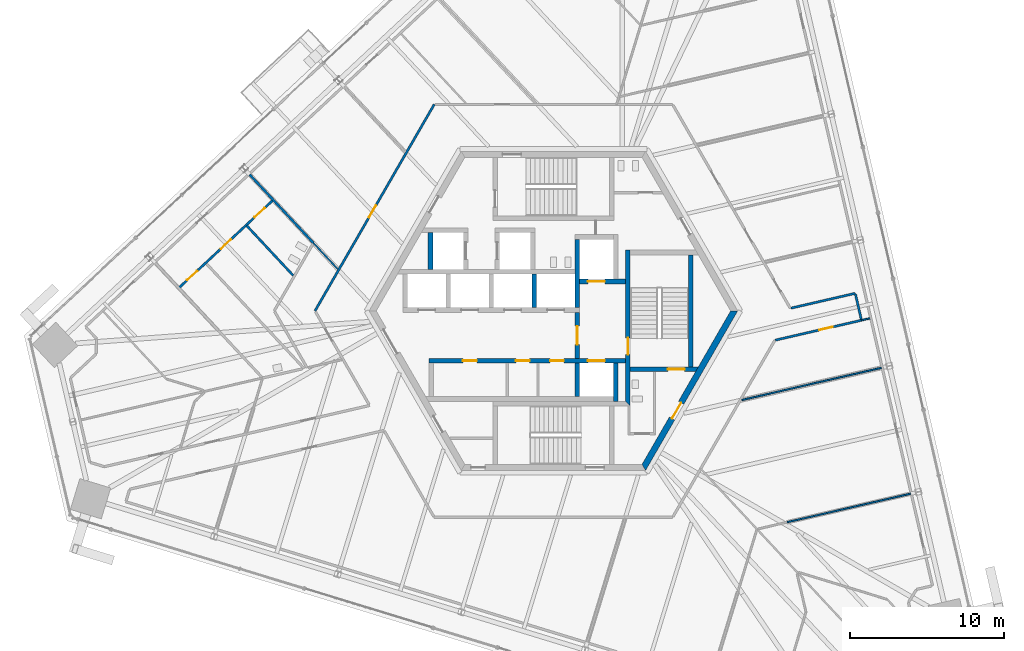
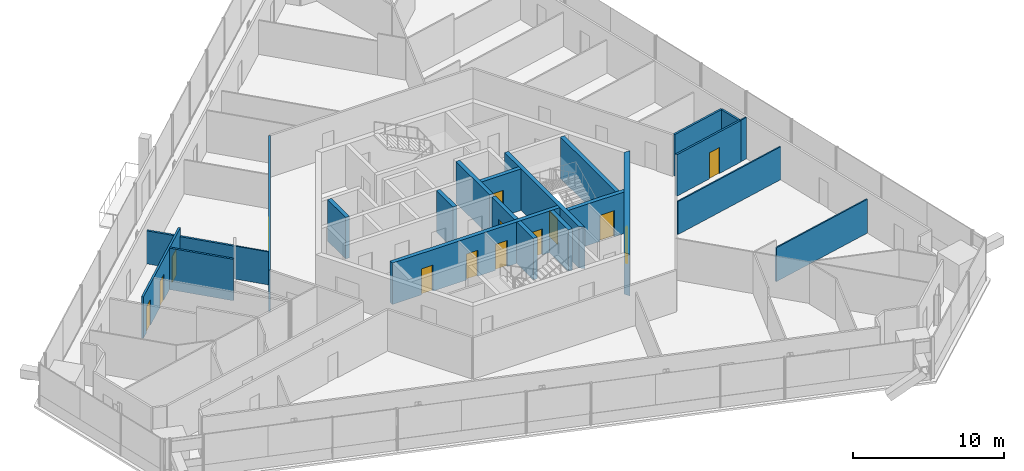
# One storey, part 19 of 25: 23 walls, 14 doors, 14 openings.
"""IFC4 building model written with IfcOpenShell, lengths in metres."""

from ifc_helpers import new_model, si_unit, direction, frame, frame_2d, origin, place, context, subcontext, project, spatial, polyline, rectangle, outline, extrude, source, transform, mapped, material, layer, layer_set, type_object, element, fill, save


model = new_model("IFC4")

# Units and contexts
model_context = context("Model", 3, precision=1e-05, world=origin(), true_north=direction((0.0, 1.0)))
body_context = subcontext(model_context, "Body", "Model", "MODEL_VIEW")
ifc_project = project(units=[si_unit("LENGTHUNIT", "METRE"), si_unit("AREAUNIT", "SQUARE_METRE"), si_unit("VOLUMEUNIT", "CUBIC_METRE"), si_unit("PLANEANGLEUNIT", "RADIAN"), si_unit("MASSUNIT", "GRAM", prefix="KILO")], contexts=[model_context])

# Site, building, storey
site_placement = place(None, origin())
site = spatial("IfcSite", under=ifc_project, at=site_placement, CompositionType="ELEMENT")
building_placement = place(site_placement, origin())
building = spatial("IfcBuilding", under=site, at=building_placement, Name="Triune Harvest Tower", CompositionType="ELEMENT")
storey_placement = place(building_placement, frame((0.0, 0.0, 130.699951171875)))
storey = spatial("IfcBuildingStorey", under=building, at=storey_placement, Name="L33", CompositionType="ELEMENT", Elevation=130.699951171875)

# Walls
ifc_material_1 = material(Name="Gypsum board on steel studs", Category="steel")
ifc_layer_1 = layer(ifc_material_1, 0.14990234375)
ifc_layer_set_1 = layer_set([ifc_layer_1], Name="Gypsum board on steel studs")
wall_type_1 = type_object("IfcWallType", Name="Fire Partition 150 mm", PredefinedType="PARTITIONING", material=ifc_layer_set_1)
wall_1_placement = place(storey_placement, frame((19.663330078125, 1.093994140625, 0.0), z_axis=(0.0, 0.0, 1.0), x_axis=(0.225091633877, -0.974337598761, 0.0)))
element("IfcWall", 1, at=wall_1_placement, inside=storey, type_object=wall_type_1, Name="Partition L33 006", PredefinedType="PARTITIONING", context=body_context, shape_type="SweptSolid", body=[
    extrude(rectangle(XDim=1.68994140625, YDim=0.14990234375, at=frame_2d((0.844970703125, 0.0))), origin(), (0.0, 0.0, 1.0), 3.35009765625),
])
wall_2_placement = place(storey_placement, frame((-19.96728515625, 5.546630859375, 0.0), z_axis=(0.0, 0.0, 1.0), x_axis=(0.681991061712, -0.731360507373, 0.0)))
element("IfcWall", 2, at=wall_2_placement, inside=storey, type_object=wall_type_1, Name="Partition L33 016", PredefinedType="PARTITIONING", context=body_context, shape_type="SweptSolid", body=[
    extrude(rectangle(XDim=4.440673828125, YDim=0.14990234375, at=frame_2d((2.22021484375, 0.0))), origin(), (0.0, 0.0, 1.0), 3.35009765625),
])
wall_3_placement = place(storey_placement, frame((-19.7763671875, 8.869384765625, 0.0), z_axis=(0.0, 0.0, 1.0), x_axis=(0.682022287832, -0.731331387882, 0.0)))
element("IfcWall", 3, at=wall_3_placement, inside=storey, type_object=wall_type_1, Name="Partition L33 017", PredefinedType="PARTITIONING", context=body_context, shape_type="SweptSolid", body=[
    extrude(rectangle(XDim=6.0849609375, YDim=0.14990234375, at=frame_2d((3.04248046875, 0.0))), origin(), (0.0, 0.0, 1.0), 2.666748046875),
])

# Wall, opening, door
wall_4_placement = place(storey_placement, frame((14.4462890625, -1.906005859375, 0.0), z_axis=(0.0, 0.0, 1.0), x_axis=(0.97437547227, 0.224927630669, 0.0)))
wall_4 = element("IfcWall", 4, at=wall_4_placement, inside=storey, type_object=wall_type_1, Name="Partition L33 040", PredefinedType="PARTITIONING", context=body_context, shape_type="SweptSolid", body=[
    extrude(rectangle(XDim=5.758056640625, YDim=0.14990234375, at=frame_2d((2.87890625, 0.0))), origin(), (0.0, 0.0, 1.0), 3.35009765625),
])
opening_1_placement = place(wall_4_placement, frame((2.93505859375, 0.0, 0.0)))
opening_1 = element("IfcOpeningElement", 5, at=opening_1_placement, cuts=wall_4, Name="Opening L33-003", PredefinedType="OPENING", context=body_context, shape_type="SweptSolid", body=[
    extrude(rectangle(XDim=0.89990234375, YDim=2.10009765625, at=frame_2d((0.449951171875, 1.050048828125))), frame((0.0, 0.0849609375, 0.0), z_axis=(0.0, -1.0, 0.0), x_axis=(1.0, 0.0, 0.0)), (0.0, 0.0, 1.0), 0.169921875),
])
ifc_material_2 = material(Name="Timber and steel door set", Category="steel")
door_type_1 = type_object("IfcDoorType", Name="Single leaf door FD30 left hand 900 x 2100", OperationType="SINGLE_SWING_LEFT", PredefinedType="DOOR", material=ifc_material_2)
door_1_placement = place(opening_1_placement, origin())
door_1 = element("IfcDoor", 6, at=door_1_placement, inside=storey, type_object=door_type_1, Name="Door L33-003 Office 33.03", OperationType="SINGLE_SWING_LEFT", OverallHeight=2.10009765625, OverallWidth=0.89990234375, PredefinedType="DOOR", context=body_context, shape_type="SweptSolid", body=[
    extrude(rectangle(XDim=0.89990234375, YDim=2.10009765625, at=frame_2d((0.449951171875, 1.050048828125))), frame((0.0, 0.02490234375, 0.0), z_axis=(0.0, -1.0, 0.0), x_axis=(1.0, 0.0, 0.0)), (0.0, 0.0, 1.0), 0.050048828125),
])
fill(opening_1, door_1)

# Wall
wall_5_placement = place(storey_placement, frame((15.47412109375, 0.17822265625, 0.0), z_axis=(0.0, 0.0, 1.0), x_axis=(0.974355678153, 0.225013360607, 0.0)))
element("IfcWall", 7, at=wall_5_placement, inside=storey, type_object=wall_type_1, Name="Partition L33 043", PredefinedType="PARTITIONING", context=body_context, shape_type="SweptSolid", body=[
    extrude(rectangle(XDim=4.287841796875, YDim=0.14990234375, at=frame_2d((2.14404296875, 0.0))), origin(), (0.0, 0.0, 1.0), 3.35009765625),
])

# Wall, openings, doors
wall_6_placement = place(storey_placement, frame((-24.35888671875, 1.51953125, 0.0), z_axis=(0.0, 0.0, 1.0), x_axis=(0.731340569628, 0.682012442127, 0.0)))
wall_6 = element("IfcWall", 8, at=wall_6_placement, inside=storey, type_object=wall_type_1, Name="Partition L33 057", PredefinedType="PARTITIONING", context=body_context, shape_type="SweptSolid", body=[
    extrude(rectangle(XDim=8.3642578125, YDim=0.14990234375, at=frame_2d((4.18212890625, 0.0))), origin(), (0.0, 0.0, 1.0), 3.35009765625),
])
opening_2_placement = place(wall_6_placement, frame((6.70849609375, 0.0, 0.0)))
opening_2 = element("IfcOpeningElement", 9, at=opening_2_placement, cuts=wall_6, Name="Opening L33-018", PredefinedType="OPENING", context=body_context, shape_type="SweptSolid", body=[
    extrude(rectangle(XDim=0.89990234375, YDim=2.10009765625, at=frame_2d((0.449951171875, 1.050048828125))), frame((0.0, 0.0849609375, 0.0), z_axis=(0.0, -1.0, 0.0), x_axis=(1.0, 0.0, 0.0)), (0.0, 0.0, 1.0), 0.169921875),
])
opening_3_placement = place(wall_6_placement, frame((3.69970703125, 0.0, 0.0)))
opening_3 = element("IfcOpeningElement", 10, at=opening_3_placement, cuts=wall_6, Name="Opening L33-019", PredefinedType="OPENING", context=body_context, shape_type="SweptSolid", body=[
    extrude(rectangle(XDim=0.89990234375, YDim=2.10009765625, at=frame_2d((0.449951171875, 1.050048828125))), frame((0.0, 0.0849609375, 0.0), z_axis=(0.0, -1.0, 0.0), x_axis=(1.0, 0.0, 0.0)), (0.0, 0.0, 1.0), 0.169921875),
])
opening_4_placement = place(wall_6_placement, frame((0.699951171875, 0.0, 0.0)))
opening_4 = element("IfcOpeningElement", 11, at=opening_4_placement, cuts=wall_6, Name="Opening L33-020", PredefinedType="OPENING", context=body_context, shape_type="SweptSolid", body=[
    extrude(rectangle(XDim=0.89990234375, YDim=2.10009765625, at=frame_2d((0.449951171875, 1.050048828125))), frame((0.0, 0.0849609375, 0.0), z_axis=(0.0, -1.0, 0.0), x_axis=(1.0, 0.0, 0.0)), (0.0, 0.0, 1.0), 0.169921875),
])
door_2_placement = place(opening_2_placement, origin())
door_2 = element("IfcDoor", 12, at=door_2_placement, inside=storey, type_object=door_type_1, Name="Door L33-018 Women's WC 33.18", OperationType="SINGLE_SWING_LEFT", OverallHeight=2.10009765625, OverallWidth=0.89990234375, PredefinedType="DOOR", context=body_context, shape_type="SweptSolid", body=[
    extrude(rectangle(XDim=0.89990234375, YDim=2.10009765625, at=frame_2d((0.449951171875, 1.050048828125))), frame((0.0, 0.02490234375, 0.0), z_axis=(0.0, -1.0, 0.0), x_axis=(1.0, 0.0, 0.0)), (0.0, 0.0, 1.0), 0.050048828125),
])
fill(opening_2, door_2)
ifc_material_3 = material(Name="Timber and steel door set", Category="steel")
door_type_2 = type_object("IfcDoorType", Name="Single leaf door FD30 right hand 900 x 2100", OperationType="SINGLE_SWING_RIGHT", PredefinedType="DOOR", material=ifc_material_3)
door_3_placement = place(opening_3_placement, origin())
door_3 = element("IfcDoor", 13, at=door_3_placement, inside=storey, type_object=door_type_2, Name="Door L33-019 Men's WC 33.19", OperationType="SINGLE_SWING_RIGHT", OverallHeight=2.10009765625, OverallWidth=0.89990234375, PredefinedType="DOOR", context=body_context, shape_type="SweptSolid", body=[
    extrude(rectangle(XDim=0.89990234375, YDim=2.10009765625, at=frame_2d((0.449951171875, 1.050048828125))), frame((0.0, 0.02490234375, 0.0), z_axis=(0.0, -1.0, 0.0), x_axis=(1.0, 0.0, 0.0)), (0.0, 0.0, 1.0), 0.050048828125),
])
fill(opening_3, door_3)
door_4_placement = place(opening_4_placement, origin())
door_4 = element("IfcDoor", 14, at=door_4_placement, inside=storey, type_object=door_type_2, Name="Door L33-020 Accessible WC 33.20", OperationType="SINGLE_SWING_RIGHT", OverallHeight=2.10009765625, OverallWidth=0.89990234375, PredefinedType="DOOR", context=body_context, shape_type="SweptSolid", body=[
    extrude(rectangle(XDim=0.89990234375, YDim=2.10009765625, at=frame_2d((0.449951171875, 1.050048828125))), frame((0.0, 0.02490234375, 0.0), z_axis=(0.0, -1.0, 0.0), x_axis=(1.0, 0.0, 0.0)), (0.0, 0.0, 1.0), 0.050048828125),
])
fill(opening_4, door_4)

# Wall, opening, door
wall_7_placement = place(storey_placement, frame((-15.521728515625, 0.0, 0.0), z_axis=(0.0, 0.0, 1.0), x_axis=(0.4999893143, 0.866031573089, 0.0)))
wall_7 = element("IfcWall", 15, at=wall_7_placement, inside=storey, type_object=wall_type_1, Name="Partition L33 063", PredefinedType="PARTITIONING", context=body_context, shape_type="SweptSolid", body=[
    extrude(rectangle(XDim=15.521728515625, YDim=0.14990234375, at=frame_2d((7.7607421875, 0.0))), origin(), (0.0, 0.0, 1.0), 3.35009765625),
])
opening_5_placement = place(wall_7_placement, frame((7.0205078125, 0.0, 0.0)))
opening_5 = element("IfcOpeningElement", 16, at=opening_5_placement, cuts=wall_7, Name="Opening L33-016", PredefinedType="OPENING", context=body_context, shape_type="SweptSolid", body=[
    extrude(rectangle(XDim=0.89990234375, YDim=2.10009765625, at=frame_2d((0.449951171875, 1.050048828125))), frame((0.0, 0.0849609375, 0.0), z_axis=(0.0, -1.0, 0.0), x_axis=(1.0, 0.0, 0.0)), (0.0, 0.0, 1.0), 0.169921875),
])
door_5_placement = place(opening_5_placement, origin())
door_5 = element("IfcDoor", 17, at=door_5_placement, inside=storey, type_object=door_type_1, Name="Door L33-016 Project Room 33.16", OperationType="SINGLE_SWING_LEFT", OverallHeight=2.10009765625, OverallWidth=0.89990234375, PredefinedType="DOOR", context=body_context, shape_type="SweptSolid", body=[
    extrude(rectangle(XDim=0.89990234375, YDim=2.10009765625, at=frame_2d((0.449951171875, 1.050048828125))), frame((0.0, 0.02490234375, 0.0), z_axis=(0.0, -1.0, 0.0), x_axis=(1.0, 0.0, 0.0)), (0.0, 0.0, 1.0), 0.050048828125),
])
fill(opening_5, door_5)

# Walls
ifc_material_4 = material(Name="Gypsum board on steel studs", Category="steel")
ifc_layer_2 = layer(ifc_material_4, 0.10009765625)
ifc_layer_set_2 = layer_set([ifc_layer_2], Name="Gypsum board on steel studs")
wall_type_2 = type_object("IfcWallType", Name="Partition 100 mm", PredefinedType="PARTITIONING", material=ifc_layer_set_2)
wall_8_placement = place(storey_placement, frame((-15.626220703125, 4.419189453125, 0.0), z_axis=(0.0, 0.0, 1.0), x_axis=(0.682001546145, -0.731350730536, 0.0)))
element("IfcWall", 18, at=wall_8_placement, inside=storey, type_object=wall_type_2, Name="Partition L33 018", PredefinedType="PARTITIONING", context=body_context, shape_type="SweptSolid", body=[
    extrude(rectangle(XDim=2.3349609375, YDim=0.10009765625, at=frame_2d((1.16748046875, 0.0))), origin(), (0.0, 0.0, 1.0), 2.666748046875),
])
wall_9_placement = place(storey_placement, frame((15.193359375, -13.763916015625, 0.0), z_axis=(0.0, 0.0, 1.0), x_axis=(0.974368791868, 0.224956567885, 0.0)))
element("IfcWall", 19, at=wall_9_placement, inside=storey, type_object=wall_type_2, Name="Partition L33 037a", PredefinedType="PARTITIONING", context=body_context, shape_type="SweptSolid", body=[
    extrude(rectangle(XDim=8.2666015625, YDim=0.10009765625, at=frame_2d((4.13330078125, 0.0))), origin(), (0.0, 0.0, 1.0), 2.73779296875),
])
wall_10_placement = place(storey_placement, frame((20.058349609375, -0.610595703125, 0.0), z_axis=(0.0, 0.0, 1.0), x_axis=(0.97433950698, 0.225083373747, 0.0)))
element("IfcWall", 20, at=wall_10_placement, inside=storey, type_object=wall_type_2, Name="Partition L33 041", PredefinedType="PARTITIONING", context=body_context, shape_type="SweptSolid", body=[
    extrude(rectangle(XDim=0.5576171875, YDim=0.10009765625, at=frame_2d((0.27880859375, 0.0))), origin(), (0.0, 0.0, 1.0), 3.35009765625),
])

# Wall, opening, door
ifc_material_5 = material(Name="Concrete 70 MPa", Category="concrete")
ifc_layer_3 = layer(ifc_material_5, 0.39990234375)
ifc_layer_set_3 = layer_set([ifc_layer_3], Name="Concrete 70 MPa")
wall_type_3 = type_object("IfcWallType", Name="Core wall 400", PredefinedType="SHEAR", material=ifc_layer_set_3)
shared_shape_1 = source(origin(), body_context, "Body", "SweptSolid", [
    extrude(outline(polyline([(-0.115478515625, -0.199951171875), (11.884521484375, -0.199951171875), (11.653564453125, 0.199951171875), (0.115478515625, 0.199951171875), (-0.115478515625, -0.199951171875)])), origin(), (0.0, 0.0, 1.0), 3.35009765625),
])
wall_11_placement = place(storey_placement, frame((5.884521484375, -10.1923828125, 0.0), z_axis=(0.0, 0.0, 1.0), x_axis=(0.499996592174, 0.866027371285, 0.0)))
wall_11 = element("IfcWall", 21, at=wall_11_placement, inside=storey, type_object=wall_type_3, Name="Hexagon 5 wall", PredefinedType="SHEAR", context=body_context, shape_type="MappedRepresentation", body=[
    mapped(shared_shape_1, transform((0.0, 0.0, 0.0), scale=1.0)),
])
opening_6_placement = place(wall_11_placement, frame((3.66455078125, 0.0, 0.0)))
opening_6 = element("IfcOpeningElement", 22, at=opening_6_placement, cuts=wall_11, Name="Opening CD-DP", PredefinedType="OPENING", context=body_context, shape_type="SweptSolid", body=[
    extrude(rectangle(XDim=1.199951171875, YDim=2.10009765625, at=frame_2d((0.60009765625, 1.050048828125))), frame((0.0, 0.2099609375, 0.0), z_axis=(0.0, -1.0, 0.0), x_axis=(1.0, 0.0, 0.0)), (0.0, 0.0, 1.0), 0.419921875),
])
ifc_material_6 = material(Name="Steel S235", Category="steel")
door_type_3 = type_object("IfcDoorType", Name="Stair door 1200 FD120", OperationType="SINGLE_SWING_LEFT", PredefinedType="DOOR", material=ifc_material_6)
door_6_placement = place(opening_6_placement, frame((1.199951171875, 0.0, 0.0), z_axis=(0.0, 0.0, 1.0), x_axis=(-1.0, 0.0, 0.0)))
door_6 = element("IfcDoor", 23, at=door_6_placement, inside=storey, type_object=door_type_3, Name="Door CD-DP", OperationType="SINGLE_SWING_RIGHT", OverallHeight=2.10009765625, OverallWidth=1.199951171875, PredefinedType="DOOR", context=body_context, shape_type="SweptSolid", body=[
    extrude(rectangle(XDim=1.199951171875, YDim=2.10009765625, at=frame_2d((0.60009765625, 1.050048828125))), frame((0.0, 0.02490234375, 0.0), z_axis=(0.0, -1.0, 0.0), x_axis=(1.0, 0.0, 0.0)), (0.0, 0.0, 1.0), 0.050048828125),
])
fill(opening_6, door_6)

# Walls
ifc_material_7 = material(Name="Concrete 70 MPa", Category="concrete")
ifc_layer_4 = layer(ifc_material_7, 0.300048828125)
ifc_layer_set_4 = layer_set([ifc_layer_4], Name="Concrete 70 MPa")
wall_type_4 = type_object("IfcWallType", Name="Core wall 300", PredefinedType="SHEAR", material=ifc_layer_set_4)
shared_shape_2 = source(origin(), body_context, "Body", "SweptSolid", [
    extrude(rectangle(XDim=2.5, YDim=0.300048828125, at=frame_2d((1.25, 0.0))), origin(), (0.0, 0.0, 1.0), 3.35009765625),
])
wall_12_placement = place(storey_placement, frame((4.050048828125, -5.889892578125, 0.0), z_axis=(0.0, 0.0, 1.0), x_axis=(0.0, 1.0, 0.0)))
element("IfcWall", 24, at=wall_12_placement, inside=storey, type_object=wall_type_4, Name="Ff2 east wall", PredefinedType="SHEAR", context=body_context, shape_type="MappedRepresentation", body=[
    mapped(shared_shape_2, transform((0.0, 0.0, 0.0), scale=1.0)),
])
shared_shape_3 = source(origin(), body_context, "Body", "SweptSolid", [
    extrude(rectangle(XDim=4.449951171875, YDim=0.300048828125, at=frame_2d((2.22509765625, 0.0))), origin(), (0.0, 0.0, 1.0), 3.35009765625),
])
wall_13_placement = place(storey_placement, frame((1.550048828125, 0.2099609375, 0.0), z_axis=(0.0, 0.0, 1.0), x_axis=(0.0, 1.0, 0.0)))
element("IfcWall", 25, at=wall_13_placement, inside=storey, type_object=wall_type_4, Name="Ff1 west wall", PredefinedType="SHEAR", context=body_context, shape_type="MappedRepresentation", body=[
    mapped(shared_shape_3, transform((0.0, 0.0, 0.0), scale=1.0)),
])

# Wall, opening, door
shared_shape_4 = source(origin(), body_context, "Body", "SweptSolid", [
    extrude(rectangle(XDim=3.0, YDim=0.300048828125, at=frame_2d((1.5, 0.0))), origin(), (0.0, 0.0, 1.0), 3.35009765625),
])
wall_14_placement = place(storey_placement, frame((1.699951171875, 1.909912109375, 0.0), z_axis=(0.0, 0.0, 1.0), x_axis=(1.0, 0.0, 0.0)))
wall_14 = element("IfcWall", 26, at=wall_14_placement, inside=storey, type_object=wall_type_4, Name="Ff1 front wall", PredefinedType="SHEAR", context=body_context, shape_type="MappedRepresentation", body=[
    mapped(shared_shape_4, transform((0.0, 0.0, 0.0), scale=1.0)),
])
opening_7_placement = place(wall_14_placement, frame((0.550048828125, 0.0, 0.0)))
opening_7 = element("IfcOpeningElement", 27, at=opening_7_placement, cuts=wall_14, Name="Opening LD-FF1-33", PredefinedType="OPENING", context=body_context, shape_type="SweptSolid", body=[
    extrude(rectangle(XDim=1.10009765625, YDim=2.10009765625, at=frame_2d((0.550048828125, 1.050048828125))), frame((0.0, 0.16015625, 0.0), z_axis=(0.0, -1.0, 0.0), x_axis=(1.0, 0.0, 0.0)), (0.0, 0.0, 1.0), 0.320068359375),
])
ifc_material_8 = material(Name="Stainless steel AISI 304", Category="steel")
door_type_4 = type_object("IfcDoorType", Name="Landing door 1100 x 2100", OperationType="DOUBLE_DOOR_SLIDING", PredefinedType="DOOR", material=ifc_material_8)
door_7_placement = place(opening_7_placement, origin())
door_7 = element("IfcDoor", 28, at=door_7_placement, inside=storey, type_object=door_type_4, Name="Door LD-FF1-33", OperationType="DOUBLE_DOOR_SLIDING", OverallHeight=2.10009765625, OverallWidth=1.10009765625, PredefinedType="DOOR", context=body_context, shape_type="SweptSolid", body=[
    extrude(rectangle(XDim=1.10009765625, YDim=2.10009765625, at=frame_2d((0.550048828125, 1.050048828125))), frame((0.0, 0.02490234375, 0.0), z_axis=(0.0, -1.0, 0.0), x_axis=(1.0, 0.0, 0.0)), (0.0, 0.0, 1.0), 0.050048828125),
])
fill(opening_7, door_7)

wall_15_placement = place(storey_placement, frame((1.550048828125, -3.090087890625, 0.0), z_axis=(0.0, 0.0, 1.0), x_axis=(0.0, 1.0, 0.0)))
wall_15 = element("IfcWall", 29, at=wall_15_placement, inside=storey, type_object=wall_type_4, Name="Ff lobby west wall", PredefinedType="SHEAR", context=body_context, shape_type="MappedRepresentation", body=[
    mapped(shared_shape_4, transform((0.0, 0.0, 0.0), scale=1.0)),
])
opening_8_placement = place(wall_15_placement, frame((0.89990234375, 0.0, 0.0)))
opening_8 = element("IfcOpeningElement", 30, at=opening_8_placement, cuts=wall_15, Name="Opening CD-FL", PredefinedType="OPENING", context=body_context, shape_type="SweptSolid", body=[
    extrude(rectangle(XDim=1.199951171875, YDim=2.10009765625, at=frame_2d((0.60009765625, 1.050048828125))), frame((0.0, 0.16015625, 0.0), z_axis=(0.0, -1.0, 0.0), x_axis=(1.0, 0.0, 0.0)), (0.0, 0.0, 1.0), 0.320068359375),
])
ifc_material_9 = material(Name="Steel S235", Category="steel")
door_type_5 = type_object("IfcDoorType", Name="Firefighters' lobby door 1200 FD120", OperationType="SINGLE_SWING_LEFT", PredefinedType="DOOR", material=ifc_material_9)
door_8_placement = place(opening_8_placement, frame((1.199951171875, 0.0, 0.0), z_axis=(0.0, 0.0, 1.0), x_axis=(-1.0, 0.0, 0.0)))
door_8 = element("IfcDoor", 31, at=door_8_placement, inside=storey, type_object=door_type_5, Name="Door CD-FL", OperationType="SINGLE_SWING_RIGHT", OverallHeight=2.10009765625, OverallWidth=1.199951171875, PredefinedType="DOOR", context=body_context, shape_type="SweptSolid", body=[
    extrude(rectangle(XDim=1.199951171875, YDim=2.10009765625, at=frame_2d((0.60009765625, 1.050048828125))), frame((0.0, 0.02490234375, 0.0), z_axis=(0.0, -1.0, 0.0), x_axis=(1.0, 0.0, 0.0)), (0.0, 0.0, 1.0), 0.050048828125),
])
fill(opening_8, door_8)

# Wall, openings, doors
shared_shape_5 = source(origin(), body_context, "Body", "SweptSolid", [
    extrude(rectangle(XDim=12.800048828125, YDim=0.300048828125, at=frame_2d((6.39990234375, 0.0))), origin(), (0.0, 0.0, 1.0), 3.35009765625),
])
wall_16_placement = place(storey_placement, frame((-8.10009765625, -3.239990234375, 0.0), z_axis=(0.0, 0.0, 1.0), x_axis=(1.0, 0.0, 0.0)))
wall_16 = element("IfcWall", 32, at=wall_16_placement, inside=storey, type_object=wall_type_4, Name="South front wall", PredefinedType="SHEAR", context=body_context, shape_type="MappedRepresentation", body=[
    mapped(shared_shape_5, transform((0.0, 0.0, 0.0), scale=1.0)),
])
opening_9_placement = place(wall_16_placement, frame((2.21240234375, 0.0, 0.0)))
opening_9 = element("IfcOpeningElement", 33, at=opening_9_placement, cuts=wall_16, Name="Opening CD-RS1", PredefinedType="OPENING", context=body_context, shape_type="SweptSolid", body=[
    extrude(rectangle(XDim=0.89990234375, YDim=2.10009765625, at=frame_2d((0.449951171875, 1.050048828125))), frame((0.0, 0.16015625, 0.0), z_axis=(0.0, -1.0, 0.0), x_axis=(1.0, 0.0, 0.0)), (0.0, 0.0, 1.0), 0.320068359375),
])
opening_10_placement = place(wall_16_placement, frame((5.64990234375, 0.0, 0.0)))
opening_10 = element("IfcOpeningElement", 34, at=opening_10_placement, cuts=wall_16, Name="Opening CD-RS2", PredefinedType="OPENING", context=body_context, shape_type="SweptSolid", body=[
    extrude(rectangle(XDim=0.89990234375, YDim=2.10009765625, at=frame_2d((0.449951171875, 1.050048828125))), frame((0.0, 0.16015625, 0.0), z_axis=(0.0, -1.0, 0.0), x_axis=(1.0, 0.0, 0.0)), (0.0, 0.0, 1.0), 0.320068359375),
])
opening_11_placement = place(wall_16_placement, frame((7.887451171875, 0.0, 0.0)))
opening_11 = element("IfcOpeningElement", 35, at=opening_11_placement, cuts=wall_16, Name="Opening CD-RS3", PredefinedType="OPENING", context=body_context, shape_type="SweptSolid", body=[
    extrude(rectangle(XDim=0.89990234375, YDim=2.10009765625, at=frame_2d((0.449951171875, 1.050048828125))), frame((0.0, 0.16015625, 0.0), z_axis=(0.0, -1.0, 0.0), x_axis=(1.0, 0.0, 0.0)), (0.0, 0.0, 1.0), 0.320068359375),
])
opening_12_placement = place(wall_16_placement, frame((10.35009765625, 0.0, 0.0)))
opening_12 = element("IfcOpeningElement", 36, at=opening_12_placement, cuts=wall_16, Name="Opening LD-FF2-33", PredefinedType="OPENING", context=body_context, shape_type="SweptSolid", body=[
    extrude(rectangle(XDim=1.10009765625, YDim=2.10009765625, at=frame_2d((0.550048828125, 1.050048828125))), frame((0.0, 0.16015625, 0.0), z_axis=(0.0, -1.0, 0.0), x_axis=(1.0, 0.0, 0.0)), (0.0, 0.0, 1.0), 0.320068359375),
])
door_9_placement = place(opening_12_placement, origin())
door_9 = element("IfcDoor", 37, at=door_9_placement, inside=storey, type_object=door_type_4, Name="Door LD-FF2-33", OperationType="DOUBLE_DOOR_SLIDING", OverallHeight=2.10009765625, OverallWidth=1.10009765625, PredefinedType="DOOR", context=body_context, shape_type="SweptSolid", body=[
    extrude(rectangle(XDim=1.10009765625, YDim=2.10009765625, at=frame_2d((0.550048828125, 1.050048828125))), frame((0.0, 0.02490234375, 0.0), z_axis=(0.0, -1.0, 0.0), x_axis=(1.0, 0.0, 0.0)), (0.0, 0.0, 1.0), 0.050048828125),
])
fill(opening_12, door_9)
ifc_material_10 = material(Name="Steel S235", Category="steel")
door_type_6 = type_object("IfcDoorType", Name="Riser door 900 FD120", OperationType="SINGLE_SWING_LEFT", PredefinedType="DOOR", material=ifc_material_10)
door_10_placement = place(opening_9_placement, origin())
door_10 = element("IfcDoor", 38, at=door_10_placement, inside=storey, type_object=door_type_6, Name="Door CD-RS1", OperationType="SINGLE_SWING_LEFT", OverallHeight=2.10009765625, OverallWidth=0.89990234375, PredefinedType="DOOR", context=body_context, shape_type="SweptSolid", body=[
    extrude(rectangle(XDim=0.89990234375, YDim=2.10009765625, at=frame_2d((0.449951171875, 1.050048828125))), frame((0.0, 0.02490234375, 0.0), z_axis=(0.0, -1.0, 0.0), x_axis=(1.0, 0.0, 0.0)), (0.0, 0.0, 1.0), 0.050048828125),
])
fill(opening_9, door_10)
door_11_placement = place(opening_10_placement, origin())
door_11 = element("IfcDoor", 39, at=door_11_placement, inside=storey, type_object=door_type_6, Name="Door CD-RS2", OperationType="SINGLE_SWING_LEFT", OverallHeight=2.10009765625, OverallWidth=0.89990234375, PredefinedType="DOOR", context=body_context, shape_type="SweptSolid", body=[
    extrude(rectangle(XDim=0.89990234375, YDim=2.10009765625, at=frame_2d((0.449951171875, 1.050048828125))), frame((0.0, 0.02490234375, 0.0), z_axis=(0.0, -1.0, 0.0), x_axis=(1.0, 0.0, 0.0)), (0.0, 0.0, 1.0), 0.050048828125),
])
fill(opening_10, door_11)
door_12_placement = place(opening_11_placement, origin())
door_12 = element("IfcDoor", 40, at=door_12_placement, inside=storey, type_object=door_type_6, Name="Door CD-RS3", OperationType="SINGLE_SWING_LEFT", OverallHeight=2.10009765625, OverallWidth=0.89990234375, PredefinedType="DOOR", context=body_context, shape_type="SweptSolid", body=[
    extrude(rectangle(XDim=0.89990234375, YDim=2.10009765625, at=frame_2d((0.449951171875, 1.050048828125))), frame((0.0, 0.02490234375, 0.0), z_axis=(0.0, -1.0, 0.0), x_axis=(1.0, 0.0, 0.0)), (0.0, 0.0, 1.0), 0.050048828125),
])
fill(opening_11, door_12)

# Walls
shared_shape_6 = source(origin(), body_context, "Body", "SweptSolid", [
    extrude(rectangle(XDim=2.2001953125, YDim=0.300048828125, at=frame_2d((1.10009765625, 0.0))), origin(), (0.0, 0.0, 1.0), 3.35009765625),
])
wall_17_placement = place(storey_placement, frame((1.550048828125, -5.590087890625, 0.0), z_axis=(0.0, 0.0, 1.0), x_axis=(0.0, 1.0, 0.0)))
element("IfcWall", 41, at=wall_17_placement, inside=storey, type_object=wall_type_4, Name="Ff2 west wall", PredefinedType="SHEAR", context=body_context, shape_type="MappedRepresentation", body=[
    mapped(shared_shape_6, transform((0.0, 0.0, 0.0), scale=1.0)),
])
shared_shape_7 = source(origin(), body_context, "Body", "SweptSolid", [
    extrude(rectangle(XDim=2.199951171875, YDim=0.300048828125, at=frame_2d((1.10009765625, 0.0))), origin(), (0.0, 0.0, 1.0), 3.35009765625),
])
wall_18_placement = place(storey_placement, frame((-1.25, 0.2099609375, 0.0), z_axis=(0.0, 0.0, 1.0), x_axis=(0.0, 1.0, 0.0)))
element("IfcWall", 42, at=wall_18_placement, inside=storey, type_object=wall_type_4, Name="North cross 3 wall", PredefinedType="SHEAR", context=body_context, shape_type="MappedRepresentation", body=[
    mapped(shared_shape_7, transform((0.0, 0.0, 0.0), scale=1.0)),
])

# Wall, opening, door
shared_shape_8 = source(origin(), body_context, "Body", "SweptSolid", [
    extrude(outline(polyline([(-0.14990234375, -0.14990234375), (9.989990234375, -0.14990234375), (9.989990234375, 0.14990234375), (0.14990234375, 0.14990234375), (-0.14990234375, -0.14990234375)])), origin(), (0.0, 0.0, 1.0), 3.35009765625),
])
wall_19_placement = place(storey_placement, frame((4.85009765625, -6.0400390625, 0.0), z_axis=(0.0, 0.0, 1.0), x_axis=(0.0, 1.0, 0.0)))
wall_19 = element("IfcWall", 43, at=wall_19_placement, inside=storey, type_object=wall_type_4, Name="Stair e west wall", PredefinedType="SHEAR", context=body_context, shape_type="MappedRepresentation", body=[
    mapped(shared_shape_8, transform((0.0, 0.0, 0.0), scale=1.0)),
])
opening_13_placement = place(wall_19_placement, frame((3.18994140625, 0.0, 0.0)))
opening_13 = element("IfcOpeningElement", 44, at=opening_13_placement, cuts=wall_19, Name="Opening CD-S3L", PredefinedType="OPENING", context=body_context, shape_type="SweptSolid", body=[
    extrude(rectangle(XDim=1.10009765625, YDim=2.10009765625, at=frame_2d((0.550048828125, 1.050048828125))), frame((0.0, 0.16015625, 0.0), z_axis=(0.0, -1.0, 0.0), x_axis=(1.0, 0.0, 0.0)), (0.0, 0.0, 1.0), 0.320068359375),
])
ifc_material_11 = material(Name="Steel S235", Category="steel")
door_type_7 = type_object("IfcDoorType", Name="Stair door 1100 FD120", OperationType="SINGLE_SWING_LEFT", PredefinedType="DOOR", material=ifc_material_11)
door_13_placement = place(opening_13_placement, frame((1.10009765625, 0.0, 0.0), z_axis=(0.0, 0.0, 1.0), x_axis=(-1.0, 0.0, 0.0)))
door_13 = element("IfcDoor", 45, at=door_13_placement, inside=storey, type_object=door_type_7, Name="Door CD-S3L", OperationType="SINGLE_SWING_RIGHT", OverallHeight=2.10009765625, OverallWidth=1.10009765625, PredefinedType="DOOR", context=body_context, shape_type="SweptSolid", body=[
    extrude(rectangle(XDim=1.10009765625, YDim=2.10009765625, at=frame_2d((0.550048828125, 1.050048828125))), frame((0.0, 0.02490234375, 0.0), z_axis=(0.0, -1.0, 0.0), x_axis=(1.0, 0.0, 0.0)), (0.0, 0.0, 1.0), 0.050048828125),
])
fill(opening_13, door_13)

shared_shape_9 = source(origin(), body_context, "Body", "SweptSolid", [
    extrude(outline(polyline([(0.0, -0.14990234375), (0.0, 0.14990234375), (4.43310546875, 0.14990234375), (4.260009765625, -0.14990234375), (0.0, -0.14990234375)])), origin(), (0.0, 0.0, 1.0), 3.35009765625),
])
wall_20_placement = place(storey_placement, frame((5.0, -3.800048828125, 0.0), z_axis=(0.0, 0.0, 1.0), x_axis=(1.0, 0.0, 0.0)))
wall_20 = element("IfcWall", 46, at=wall_20_placement, inside=storey, type_object=wall_type_4, Name="Stair e south wall", PredefinedType="SHEAR", context=body_context, shape_type="MappedRepresentation", body=[
    mapped(shared_shape_9, transform((0.0, 0.0, 0.0), scale=1.0)),
])
opening_14_placement = place(wall_20_placement, frame((2.449951171875, 0.0, 0.0)))
opening_14 = element("IfcOpeningElement", 47, at=opening_14_placement, cuts=wall_20, Name="Opening CD-S3D", PredefinedType="OPENING", context=body_context, shape_type="SweptSolid", body=[
    extrude(rectangle(XDim=1.10009765625, YDim=2.10009765625, at=frame_2d((0.550048828125, 1.050048828125))), frame((0.0, 0.16015625, 0.0), z_axis=(0.0, -1.0, 0.0), x_axis=(1.0, 0.0, 0.0)), (0.0, 0.0, 1.0), 0.320068359375),
])
door_14_placement = place(opening_14_placement, frame((1.10009765625, 0.0, 0.0), z_axis=(0.0, 0.0, 1.0), x_axis=(-1.0, 0.0, 0.0)))
door_14 = element("IfcDoor", 48, at=door_14_placement, inside=storey, type_object=door_type_7, Name="Door CD-S3D", OperationType="SINGLE_SWING_RIGHT", OverallHeight=2.10009765625, OverallWidth=1.10009765625, PredefinedType="DOOR", context=body_context, shape_type="SweptSolid", body=[
    extrude(rectangle(XDim=1.10009765625, YDim=2.10009765625, at=frame_2d((0.550048828125, 1.050048828125))), frame((0.0, 0.02490234375, 0.0), z_axis=(0.0, -1.0, 0.0), x_axis=(1.0, 0.0, 0.0)), (0.0, 0.0, 1.0), 0.050048828125),
])
fill(opening_14, door_14)

# Walls
shared_shape_10 = source(origin(), body_context, "Body", "SweptSolid", [
    extrude(rectangle(XDim=7.2998046875, YDim=0.300048828125, at=frame_2d((3.64990234375, 0.0))), origin(), (0.0, 0.0, 1.0), 3.35009765625),
])
wall_21_placement = place(storey_placement, frame((8.949951171875, -3.64990234375, 0.0), z_axis=(0.0, 0.0, 1.0), x_axis=(0.0, 1.0, 0.0)))
element("IfcWall", 49, at=wall_21_placement, inside=storey, type_object=wall_type_4, Name="Stair e east wall", PredefinedType="SHEAR", context=body_context, shape_type="MappedRepresentation", body=[
    mapped(shared_shape_10, transform((0.0, 0.0, 0.0), scale=1.0)),
])
shared_shape_11 = source(origin(), body_context, "Body", "SweptSolid", [
    extrude(rectangle(XDim=2.400146484375, YDim=0.300048828125, at=frame_2d((1.2001953125, 0.0))), origin(), (0.0, 0.0, 1.0), 3.35009765625),
])
wall_22_placement = place(storey_placement, frame((-8.0, 2.7099609375, 0.0), z_axis=(0.0, 0.0, 1.0), x_axis=(0.0, 1.0, 0.0)))
element("IfcWall", 50, at=wall_22_placement, inside=storey, type_object=wall_type_4, Name="Sv1 west wall", PredefinedType="SHEAR", context=body_context, shape_type="MappedRepresentation", body=[
    mapped(shared_shape_11, transform((0.0, 0.0, 0.0), scale=1.0)),
])
shared_shape_12 = source(origin(), body_context, "Body", "SweptSolid", [
    extrude(rectangle(XDim=9.320556640625, YDim=0.10009765625, at=frame_2d((4.66015625, 0.0))), origin(), (0.0, 0.0, 1.0), 2.666748046875),
])
wall_23_placement = place(storey_placement, frame((12.273193359375, -5.80224609375, 0.0), z_axis=(0.0, 0.0, 1.0), x_axis=(0.974370442796, 0.224949416993, 0.0)))
element("IfcWall", 51, at=wall_23_placement, inside=storey, type_object=wall_type_2, Name="Partition L33 038", PredefinedType="PARTITIONING", context=body_context, shape_type="MappedRepresentation", body=[
    mapped(shared_shape_12, transform((0.0, 0.0, 0.0), scale=1.0)),
])

save(model, "model.ifc")
